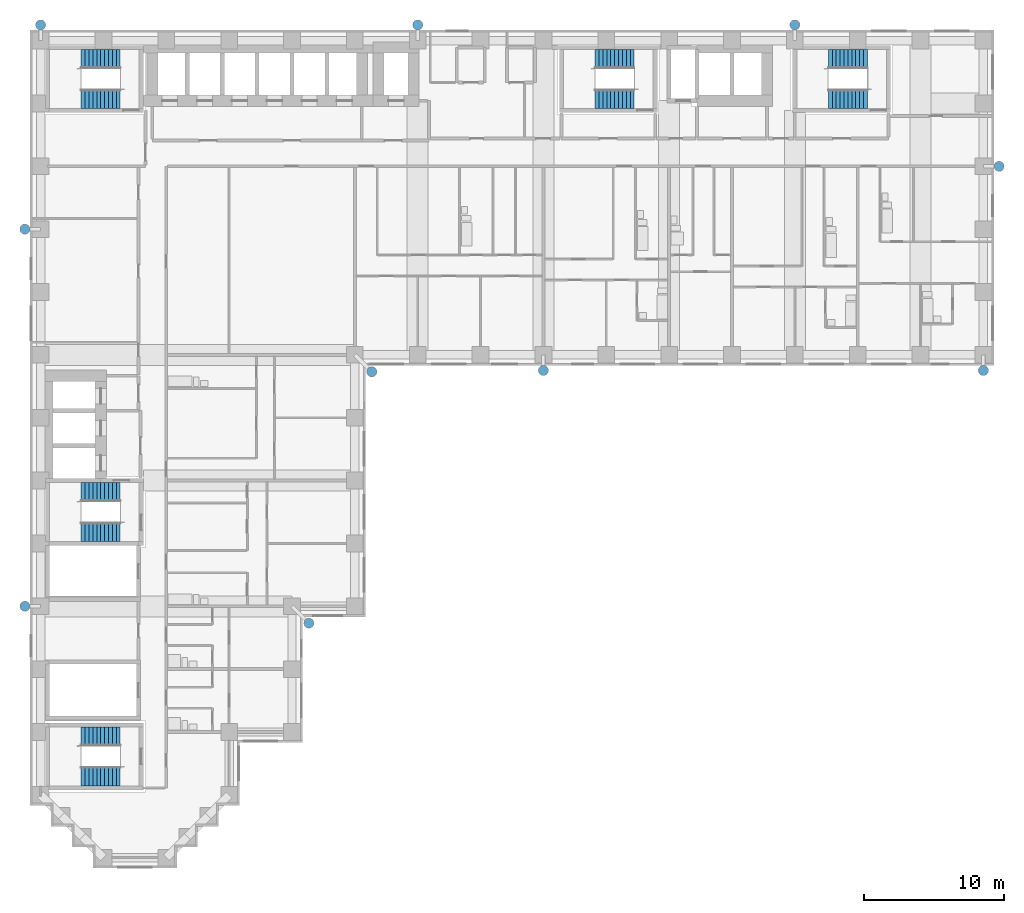
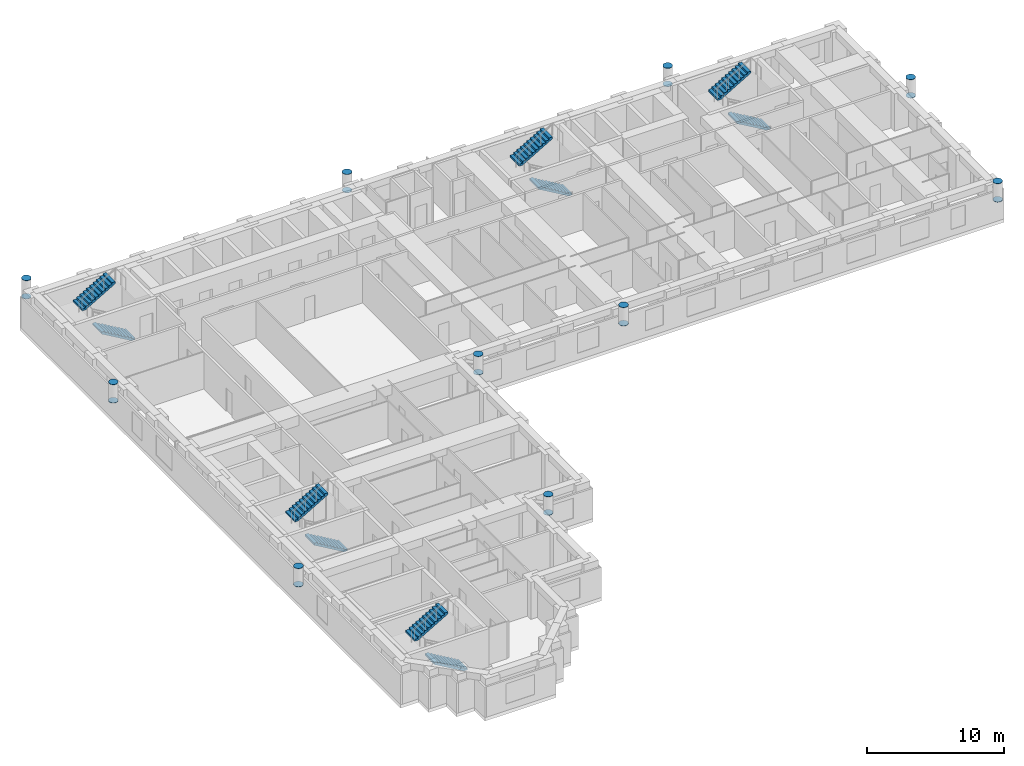
# One storey, part 12 of 14: 20 discrete accessories, 10 stair flights, 5 elements without a shape of their own.
"""IFC4 building model written with IfcOpenShell, lengths in metres."""

from ifc_helpers import new_model, si_unit, direction, frame, origin, origin_2d, place, context, subcontext, project, spatial, polyline, circle, outline, extrude, material, material_profile, profile_set, type_object, element, aggregate, save


model = new_model("IFC4")

# Units and contexts
model_context = context("Model", 3, precision=1e-05, world=origin(), true_north=direction((0.0, 1.0)))
body_context = subcontext(model_context, "Body", "Model", "MODEL_VIEW")
ifc_project = project(units=[si_unit("LENGTHUNIT", "METRE"), si_unit("AREAUNIT", "SQUARE_METRE"), si_unit("VOLUMEUNIT", "CUBIC_METRE"), si_unit("PLANEANGLEUNIT", "RADIAN"), si_unit("MASSUNIT", "GRAM", prefix="KILO")], contexts=[model_context])

# Site, building, storey
site_placement = place(None, origin())
site = spatial("IfcSite", under=ifc_project, at=site_placement, CompositionType="ELEMENT")
building_placement = place(site_placement, origin())
building = spatial("IfcBuilding", under=site, at=building_placement, Name="Firuza Court", CompositionType="ELEMENT")
storey_placement = place(building_placement, frame((0.0, 0.0, 68.60009765625)))
storey = spatial("IfcBuildingStorey", under=building, at=storey_placement, Name="L16", CompositionType="ELEMENT", Elevation=68.60009765625)

# Stair, stair flights
ifc_material_1 = material(Name="Concrete C40/50 precast", Category="concrete")
stair_type = type_object("IfcStairType", Name="Stair 1350 x 3600 2 flights", PredefinedType="HALF_TURN_STAIR", material=ifc_material_1)
stair_1_placement = place(storey_placement, origin())
stair_1 = element("IfcStair", 1, at=stair_1_placement, inside=storey, type_object=stair_type, Name="Stair 1 L16", PredefinedType="HALF_TURN_STAIR")
ifc_material_2 = material(Name="Concrete C40/50 precast", Category="concrete")
stair_flight_type = type_object("IfcStairFlightType", Name="Flight 1350 riser 163.6", PredefinedType="STRAIGHT", material=ifc_material_2)
stair_flight_1_placement = place(storey_placement, frame((42.5, 54.324951171875, 0.0), z_axis=(0.0, 0.0, 1.0), x_axis=(-1.0, 0.0, 0.0)))
stair_flight_1 = element("IfcStairFlight", 2, at=stair_flight_1_placement, type_object=stair_flight_type, Name="S1 flight 1", NumberOfRisers=11, NumberOfTreads=10, PredefinedType="STRAIGHT", RiserHeight=0.163636364, TreadLength=0.28, context=body_context, shape_type="SweptSolid", body=[
    extrude(outline(polyline([(0.0, 0.0), (0.0, 0.16357421875), (0.280029296875, 0.16357421875), (0.280029296875, 0.327392578125), (0.56005859375, 0.327392578125), (0.56005859375, 0.490966796875), (0.840087890625, 0.490966796875), (0.840087890625, 0.654541015625), (1.1201171875, 0.654541015625), (1.1201171875, 0.818115234375), (1.39990234375, 0.818115234375), (1.39990234375, 0.98193359375), (1.679931640625, 0.98193359375), (1.679931640625, 1.1455078125), (1.9599609375, 1.1455078125), (1.9599609375, 1.30908203125), (2.239990234375, 1.30908203125), (2.239990234375, 1.47265625), (2.52001953125, 1.47265625), (2.52001953125, 1.636474609375), (2.800048828125, 1.636474609375), (2.800048828125, 1.800048828125), (2.800048828125, 1.462646484375), (0.297119140625, 0.0), (0.0, 0.0)])), frame((0.0, 0.675048828125, 0.0), z_axis=(0.0, -1.0, 0.0), x_axis=(1.0, 0.0, 0.0)), (0.0, 0.0, 1.0), 1.35009765625),
])
stair_flight_2_placement = place(storey_placement, frame((39.699951171875, 57.175048828125, 1.7998046875), z_axis=(0.0, 0.0, 1.0), x_axis=(1.0, 0.0, 0.0)))
stair_flight_2 = element("IfcStairFlight", 3, at=stair_flight_2_placement, type_object=stair_flight_type, Name="S1 flight 2", NumberOfRisers=11, NumberOfTreads=10, PredefinedType="STRAIGHT", RiserHeight=0.163636364, TreadLength=0.28, context=body_context, shape_type="SweptSolid", body=[
    extrude(outline(polyline([(0.0, 0.0), (0.0, 0.16357421875), (0.280029296875, 0.16357421875), (0.280029296875, 0.327392578125), (0.56005859375, 0.327392578125), (0.56005859375, 0.490966796875), (0.840087890625, 0.490966796875), (0.840087890625, 0.654541015625), (1.1201171875, 0.654541015625), (1.1201171875, 0.818115234375), (1.39990234375, 0.818115234375), (1.39990234375, 0.98193359375), (1.679931640625, 0.98193359375), (1.679931640625, 1.1455078125), (1.9599609375, 1.1455078125), (1.9599609375, 1.30908203125), (2.239990234375, 1.30908203125), (2.239990234375, 1.47265625), (2.52001953125, 1.47265625), (2.52001953125, 1.636474609375), (2.800048828125, 1.636474609375), (2.800048828125, 1.800048828125), (2.800048828125, 1.462646484375), (0.297119140625, 0.0), (0.0, 0.0)])), frame((0.0, 0.675048828125, 0.0), z_axis=(0.0, -1.0, 0.0), x_axis=(1.0, 0.0, 0.0)), (0.0, 0.0, 1.0), 1.35009765625),
])
aggregate(stair_1, [stair_flight_1, stair_flight_2])

stair_2_placement = place(storey_placement, origin())
stair_2 = element("IfcStair", 4, at=stair_2_placement, inside=storey, type_object=stair_type, Name="Stair 2 L16", PredefinedType="HALF_TURN_STAIR")
stair_flight_3_placement = place(storey_placement, frame((5.699951171875, 23.324951171875, 0.0), z_axis=(0.0, 0.0, 1.0), x_axis=(-1.0, 0.0, 0.0)))
stair_flight_3 = element("IfcStairFlight", 5, at=stair_flight_3_placement, type_object=stair_flight_type, Name="S2 flight 1", NumberOfRisers=11, NumberOfTreads=10, PredefinedType="STRAIGHT", RiserHeight=0.163636364, TreadLength=0.28, context=body_context, shape_type="SweptSolid", body=[
    extrude(outline(polyline([(0.0, 0.0), (0.0, 0.16357421875), (0.280029296875, 0.16357421875), (0.280029296875, 0.327392578125), (0.56005859375, 0.327392578125), (0.56005859375, 0.490966796875), (0.840087890625, 0.490966796875), (0.840087890625, 0.654541015625), (1.1201171875, 0.654541015625), (1.1201171875, 0.818115234375), (1.39990234375, 0.818115234375), (1.39990234375, 0.98193359375), (1.679931640625, 0.98193359375), (1.679931640625, 1.1455078125), (1.9599609375, 1.1455078125), (1.9599609375, 1.30908203125), (2.239990234375, 1.30908203125), (2.239990234375, 1.47265625), (2.52001953125, 1.47265625), (2.52001953125, 1.636474609375), (2.800048828125, 1.636474609375), (2.800048828125, 1.800048828125), (2.800048828125, 1.462646484375), (0.297119140625, 0.0), (0.0, 0.0)])), frame((0.0, 0.675048828125, 0.0), z_axis=(0.0, -1.0, 0.0), x_axis=(1.0, 0.0, 0.0)), (0.0, 0.0, 1.0), 1.35009765625),
])
stair_flight_4_placement = place(storey_placement, frame((2.89990234375, 26.175048828125, 1.7998046875), z_axis=(0.0, 0.0, 1.0), x_axis=(1.0, 0.0, 0.0)))
stair_flight_4 = element("IfcStairFlight", 6, at=stair_flight_4_placement, type_object=stair_flight_type, Name="S2 flight 2", NumberOfRisers=11, NumberOfTreads=10, PredefinedType="STRAIGHT", RiserHeight=0.163636364, TreadLength=0.28, context=body_context, shape_type="SweptSolid", body=[
    extrude(outline(polyline([(0.0, 0.0), (0.0, 0.16357421875), (0.280029296875, 0.16357421875), (0.280029296875, 0.327392578125), (0.56005859375, 0.327392578125), (0.56005859375, 0.490966796875), (0.840087890625, 0.490966796875), (0.840087890625, 0.654541015625), (1.1201171875, 0.654541015625), (1.1201171875, 0.818115234375), (1.39990234375, 0.818115234375), (1.39990234375, 0.98193359375), (1.679931640625, 0.98193359375), (1.679931640625, 1.1455078125), (1.9599609375, 1.1455078125), (1.9599609375, 1.30908203125), (2.239990234375, 1.30908203125), (2.239990234375, 1.47265625), (2.52001953125, 1.47265625), (2.52001953125, 1.636474609375), (2.800048828125, 1.636474609375), (2.800048828125, 1.800048828125), (2.800048828125, 1.462646484375), (0.297119140625, 0.0), (0.0, 0.0)])), frame((0.0, 0.675048828125, 0.0), z_axis=(0.0, -1.0, 0.0), x_axis=(1.0, 0.0, 0.0)), (0.0, 0.0, 1.0), 1.35009765625),
])
aggregate(stair_2, [stair_flight_3, stair_flight_4])

stair_3_placement = place(storey_placement, origin())
stair_3 = element("IfcStair", 7, at=stair_3_placement, inside=storey, type_object=stair_type, Name="Stair 3 L16", PredefinedType="HALF_TURN_STAIR")
stair_flight_5_placement = place(storey_placement, frame((5.699951171875, 54.324951171875, 0.0), z_axis=(0.0, 0.0, 1.0), x_axis=(-1.0, 0.0, 0.0)))
stair_flight_5 = element("IfcStairFlight", 8, at=stair_flight_5_placement, type_object=stair_flight_type, Name="S3 flight 1", NumberOfRisers=11, NumberOfTreads=10, PredefinedType="STRAIGHT", RiserHeight=0.163636364, TreadLength=0.28, context=body_context, shape_type="SweptSolid", body=[
    extrude(outline(polyline([(0.0, 0.0), (0.0, 0.16357421875), (0.280029296875, 0.16357421875), (0.280029296875, 0.327392578125), (0.56005859375, 0.327392578125), (0.56005859375, 0.490966796875), (0.840087890625, 0.490966796875), (0.840087890625, 0.654541015625), (1.1201171875, 0.654541015625), (1.1201171875, 0.818115234375), (1.39990234375, 0.818115234375), (1.39990234375, 0.98193359375), (1.679931640625, 0.98193359375), (1.679931640625, 1.1455078125), (1.9599609375, 1.1455078125), (1.9599609375, 1.30908203125), (2.239990234375, 1.30908203125), (2.239990234375, 1.47265625), (2.52001953125, 1.47265625), (2.52001953125, 1.636474609375), (2.800048828125, 1.636474609375), (2.800048828125, 1.800048828125), (2.800048828125, 1.462646484375), (0.297119140625, 0.0), (0.0, 0.0)])), frame((0.0, 0.675048828125, 0.0), z_axis=(0.0, -1.0, 0.0), x_axis=(1.0, 0.0, 0.0)), (0.0, 0.0, 1.0), 1.35009765625),
])
stair_flight_6_placement = place(storey_placement, frame((2.89990234375, 57.175048828125, 1.7998046875), z_axis=(0.0, 0.0, 1.0), x_axis=(1.0, 0.0, 0.0)))
stair_flight_6 = element("IfcStairFlight", 9, at=stair_flight_6_placement, type_object=stair_flight_type, Name="S3 flight 2", NumberOfRisers=11, NumberOfTreads=10, PredefinedType="STRAIGHT", RiserHeight=0.163636364, TreadLength=0.28, context=body_context, shape_type="SweptSolid", body=[
    extrude(outline(polyline([(0.0, 0.0), (0.0, 0.16357421875), (0.280029296875, 0.16357421875), (0.280029296875, 0.327392578125), (0.56005859375, 0.327392578125), (0.56005859375, 0.490966796875), (0.840087890625, 0.490966796875), (0.840087890625, 0.654541015625), (1.1201171875, 0.654541015625), (1.1201171875, 0.818115234375), (1.39990234375, 0.818115234375), (1.39990234375, 0.98193359375), (1.679931640625, 0.98193359375), (1.679931640625, 1.1455078125), (1.9599609375, 1.1455078125), (1.9599609375, 1.30908203125), (2.239990234375, 1.30908203125), (2.239990234375, 1.47265625), (2.52001953125, 1.47265625), (2.52001953125, 1.636474609375), (2.800048828125, 1.636474609375), (2.800048828125, 1.800048828125), (2.800048828125, 1.462646484375), (0.297119140625, 0.0), (0.0, 0.0)])), frame((0.0, 0.675048828125, 0.0), z_axis=(0.0, -1.0, 0.0), x_axis=(1.0, 0.0, 0.0)), (0.0, 0.0, 1.0), 1.35009765625),
])
aggregate(stair_3, [stair_flight_5, stair_flight_6])

stair_4_placement = place(storey_placement, origin())
stair_4 = element("IfcStair", 10, at=stair_4_placement, inside=storey, type_object=stair_type, Name="Stair 4 L16", PredefinedType="HALF_TURN_STAIR")
stair_flight_7_placement = place(storey_placement, frame((59.199951171875, 54.324951171875, 0.0), z_axis=(0.0, 0.0, 1.0), x_axis=(-1.0, 0.0, 0.0)))
stair_flight_7 = element("IfcStairFlight", 11, at=stair_flight_7_placement, type_object=stair_flight_type, Name="S4 flight 1", NumberOfRisers=11, NumberOfTreads=10, PredefinedType="STRAIGHT", RiserHeight=0.163636364, TreadLength=0.28, context=body_context, shape_type="SweptSolid", body=[
    extrude(outline(polyline([(0.0, 0.0), (0.0, 0.16357421875), (0.280029296875, 0.16357421875), (0.280029296875, 0.327392578125), (0.56005859375, 0.327392578125), (0.56005859375, 0.490966796875), (0.840087890625, 0.490966796875), (0.840087890625, 0.654541015625), (1.1201171875, 0.654541015625), (1.1201171875, 0.818115234375), (1.39990234375, 0.818115234375), (1.39990234375, 0.98193359375), (1.679931640625, 0.98193359375), (1.679931640625, 1.1455078125), (1.9599609375, 1.1455078125), (1.9599609375, 1.30908203125), (2.239990234375, 1.30908203125), (2.239990234375, 1.47265625), (2.52001953125, 1.47265625), (2.52001953125, 1.636474609375), (2.800048828125, 1.636474609375), (2.800048828125, 1.800048828125), (2.800048828125, 1.462646484375), (0.297119140625, 0.0), (0.0, 0.0)])), frame((0.0, 0.675048828125, 0.0), z_axis=(0.0, -1.0, 0.0), x_axis=(1.0, 0.0, 0.0)), (0.0, 0.0, 1.0), 1.35009765625),
])
stair_flight_8_placement = place(storey_placement, frame((56.39990234375, 57.175048828125, 1.7998046875), z_axis=(0.0, 0.0, 1.0), x_axis=(1.0, 0.0, 0.0)))
stair_flight_8 = element("IfcStairFlight", 12, at=stair_flight_8_placement, type_object=stair_flight_type, Name="S4 flight 2", NumberOfRisers=11, NumberOfTreads=10, PredefinedType="STRAIGHT", RiserHeight=0.163636364, TreadLength=0.28, context=body_context, shape_type="SweptSolid", body=[
    extrude(outline(polyline([(0.0, 0.0), (0.0, 0.16357421875), (0.280029296875, 0.16357421875), (0.280029296875, 0.327392578125), (0.56005859375, 0.327392578125), (0.56005859375, 0.490966796875), (0.840087890625, 0.490966796875), (0.840087890625, 0.654541015625), (1.1201171875, 0.654541015625), (1.1201171875, 0.818115234375), (1.39990234375, 0.818115234375), (1.39990234375, 0.98193359375), (1.679931640625, 0.98193359375), (1.679931640625, 1.1455078125), (1.9599609375, 1.1455078125), (1.9599609375, 1.30908203125), (2.239990234375, 1.30908203125), (2.239990234375, 1.47265625), (2.52001953125, 1.47265625), (2.52001953125, 1.636474609375), (2.800048828125, 1.636474609375), (2.800048828125, 1.800048828125), (2.800048828125, 1.462646484375), (0.297119140625, 0.0), (0.0, 0.0)])), frame((0.0, 0.675048828125, 0.0), z_axis=(0.0, -1.0, 0.0), x_axis=(1.0, 0.0, 0.0)), (0.0, 0.0, 1.0), 1.35009765625),
])
aggregate(stair_4, [stair_flight_7, stair_flight_8])

stair_5_placement = place(storey_placement, origin())
stair_5 = element("IfcStair", 13, at=stair_5_placement, inside=storey, type_object=stair_type, Name="Stair 5 L16", PredefinedType="HALF_TURN_STAIR")
stair_flight_9_placement = place(storey_placement, frame((5.699951171875, 5.824951171875, 0.0), z_axis=(0.0, 0.0, 1.0), x_axis=(-1.0, 0.0, 0.0)))
stair_flight_9 = element("IfcStairFlight", 14, at=stair_flight_9_placement, type_object=stair_flight_type, Name="S5 flight 1", NumberOfRisers=11, NumberOfTreads=10, PredefinedType="STRAIGHT", RiserHeight=0.163636364, TreadLength=0.28, context=body_context, shape_type="SweptSolid", body=[
    extrude(outline(polyline([(0.0, 0.0), (0.0, 0.16357421875), (0.280029296875, 0.16357421875), (0.280029296875, 0.327392578125), (0.56005859375, 0.327392578125), (0.56005859375, 0.490966796875), (0.840087890625, 0.490966796875), (0.840087890625, 0.654541015625), (1.1201171875, 0.654541015625), (1.1201171875, 0.818115234375), (1.39990234375, 0.818115234375), (1.39990234375, 0.98193359375), (1.679931640625, 0.98193359375), (1.679931640625, 1.1455078125), (1.9599609375, 1.1455078125), (1.9599609375, 1.30908203125), (2.239990234375, 1.30908203125), (2.239990234375, 1.47265625), (2.52001953125, 1.47265625), (2.52001953125, 1.636474609375), (2.800048828125, 1.636474609375), (2.800048828125, 1.800048828125), (2.800048828125, 1.462646484375), (0.297119140625, 0.0), (0.0, 0.0)])), frame((0.0, 0.675048828125, 0.0), z_axis=(0.0, -1.0, 0.0), x_axis=(1.0, 0.0, 0.0)), (0.0, 0.0, 1.0), 1.35009765625),
])
stair_flight_10_placement = place(storey_placement, frame((2.89990234375, 8.675048828125, 1.7998046875), z_axis=(0.0, 0.0, 1.0), x_axis=(1.0, 0.0, 0.0)))
stair_flight_10 = element("IfcStairFlight", 15, at=stair_flight_10_placement, type_object=stair_flight_type, Name="S5 flight 2", NumberOfRisers=11, NumberOfTreads=10, PredefinedType="STRAIGHT", RiserHeight=0.163636364, TreadLength=0.28, context=body_context, shape_type="SweptSolid", body=[
    extrude(outline(polyline([(0.0, 0.0), (0.0, 0.16357421875), (0.280029296875, 0.16357421875), (0.280029296875, 0.327392578125), (0.56005859375, 0.327392578125), (0.56005859375, 0.490966796875), (0.840087890625, 0.490966796875), (0.840087890625, 0.654541015625), (1.1201171875, 0.654541015625), (1.1201171875, 0.818115234375), (1.39990234375, 0.818115234375), (1.39990234375, 0.98193359375), (1.679931640625, 0.98193359375), (1.679931640625, 1.1455078125), (1.9599609375, 1.1455078125), (1.9599609375, 1.30908203125), (2.239990234375, 1.30908203125), (2.239990234375, 1.47265625), (2.52001953125, 1.47265625), (2.52001953125, 1.636474609375), (2.800048828125, 1.636474609375), (2.800048828125, 1.800048828125), (2.800048828125, 1.462646484375), (0.297119140625, 0.0), (0.0, 0.0)])), frame((0.0, 0.675048828125, 0.0), z_axis=(0.0, -1.0, 0.0), x_axis=(1.0, 0.0, 0.0)), (0.0, 0.0, 1.0), 1.35009765625),
])
aggregate(stair_5, [stair_flight_9, stair_flight_10])

# Discrete accessories
ifc_material_3 = material(Name="Steel S355", Category="steel")
ifc_material_profile = material_profile(ifc_material_3, circle(Radius=0.35546875, at=origin_2d()), Name="PL D711")
ifc_profile_set = profile_set([ifc_material_profile], Name="Steel S355")
discrete_accessory_type = type_object("IfcDiscreteAccessoryType", Name="DIAGRID NODE END PLATE", PredefinedType="NOTDEFINED", material=ifc_profile_set)
for number, where, z_axis, x_axis, name in (
    (16, (-1.1201171875, 18.0, 3.849853515625), (0.0, 0.0, 1.0), (1.0, 0.0, 0.0), "Diagrid node end plate level L16"),
    (17, (-1.1201171875, 18.0, 2.219970703125), (0.0, 0.0, 1.0), (1.0, 0.0, 0.0), "Diagrid node end plate level L16"),
    (18, (-1.1201171875, 45.0, 3.849853515625), (0.0, 0.0, 1.0), (1.0, 0.0, 0.0), "Diagrid node end plate level L16"),
    (19, (-1.1201171875, 45.0, 2.219970703125), (0.0, 0.0, 1.0), (1.0, 0.0, 0.0), "Diagrid node end plate level L16"),
    (20, (0.0, 59.6201171875, 3.849853515625), (0.0, 0.0, 1.0), (1.0, 0.0, 0.0), "Diagrid node end plate level L16"),
    (21, (0.0, 59.6201171875, 2.219970703125), (0.0, 0.0, 1.0), (1.0, 0.0, 0.0), "Diagrid node end plate level L16"),
    (22, (19.2099609375, 16.7900390625, 3.849853515625), (0.0, 0.0, 1.0), (1.0, 0.0, 0.0), "Diagrid node end plate level L16"),
    (23, (19.2099609375, 16.7900390625, 2.219970703125), (0.0, 0.0, 1.0), (1.0, 0.0, 0.0), "Diagrid node end plate level L16"),
    (24, (23.7099609375, 34.7900390625, 3.849853515625), (0.0, 0.0, 1.0), (1.0, 0.0, 0.0), "Diagrid node end plate level L16"),
    (25, (23.7099609375, 34.7900390625, 2.219970703125), (0.0, 0.0, 1.0), (1.0, 0.0, 0.0), "Diagrid node end plate level L16"),
    (26, (27.0, 59.6201171875, 3.849853515625), (0.0, 0.0, 1.0), (1.0, 0.0, 0.0), "Diagrid node end plate level L16"),
    (27, (27.0, 59.6201171875, 2.219970703125), (0.0, 0.0, 1.0), (1.0, 0.0, 0.0), "Diagrid node end plate level L16"),
    (28, (36.0, 34.8798828125, 3.849853515625), (0.0, 0.0, 1.0), (1.0, 0.0, 0.0), "Diagrid node end plate level L16"),
    (29, (36.0, 34.8798828125, 2.219970703125), (0.0, 0.0, 1.0), (1.0, 0.0, 0.0), "Diagrid node end plate level L16"),
    (30, (54.0, 59.6201171875, 3.849853515625), (0.0, 0.0, 1.0), (1.0, 0.0, 0.0), "Diagrid node end plate level L16"),
    (31, (54.0, 59.6201171875, 2.219970703125), (0.0, 0.0, 1.0), (1.0, 0.0, 0.0), "Diagrid node end plate level L16"),
    (32, (67.5, 34.8798828125, 3.849853515625), (0.0, 0.0, 1.0), (1.0, 0.0, 0.0), "Diagrid node end plate level L16"),
    (33, (67.5, 34.8798828125, 2.219970703125), (0.0, 0.0, 1.0), (1.0, 0.0, 0.0), "Diagrid node end plate level L16"),
    (34, (68.6201171875, 49.5, 3.849853515625), (0.0, 0.0, 1.0), (1.0, 0.0, 0.0), "Diagrid node end plate level L16"),
    (35, (68.6201171875, 49.5, 2.219970703125), (0.0, 0.0, 1.0), (1.0, 0.0, 0.0), "Diagrid node end plate level L16"),
):
    element("IfcDiscreteAccessory", number, at=place(storey_placement, frame(where, z_axis=z_axis, x_axis=x_axis)), inside=storey, type_object=discrete_accessory_type, Name=name, PredefinedType="NOTDEFINED", context=body_context, shape_type="SweptSolid", body=[
        extrude(circle(Radius=0.35546875, at=origin_2d()), origin(), (0.0, 0.0, 1.0), 0.030029296875),
    ])

save(model, "model.ifc")
